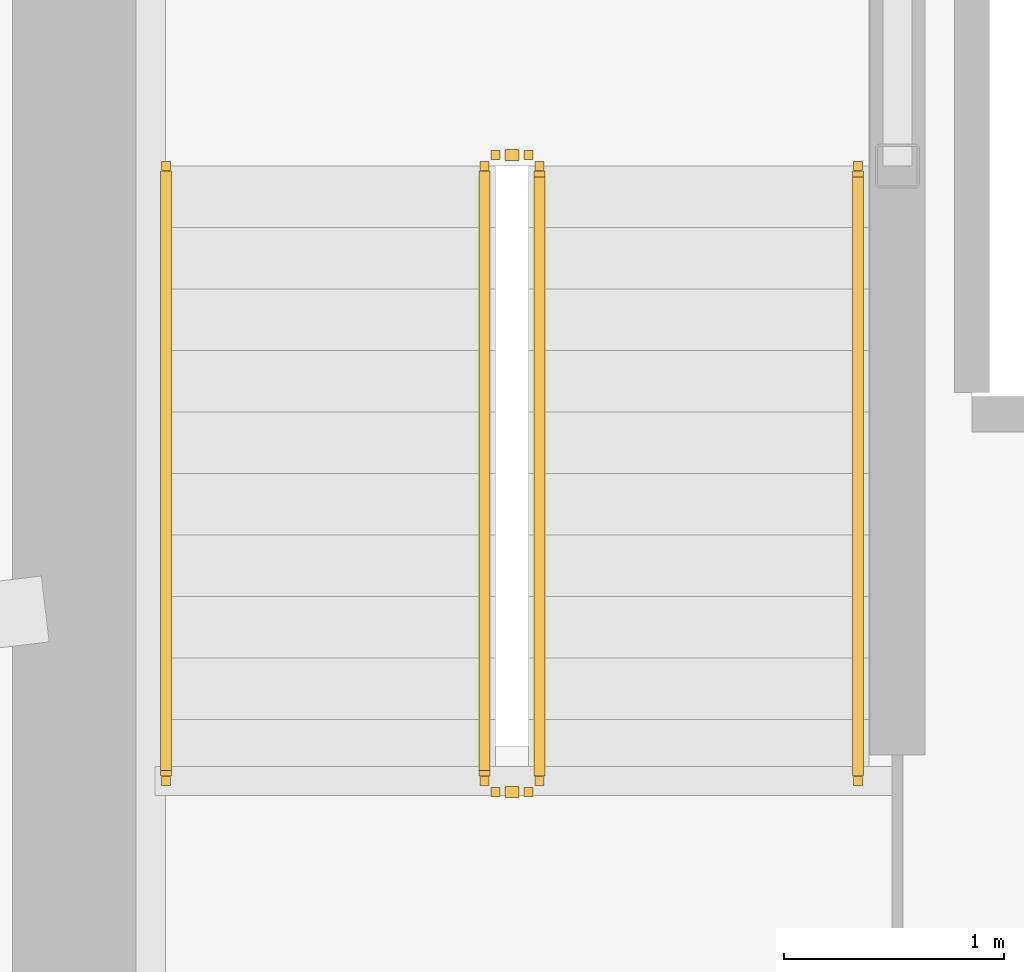
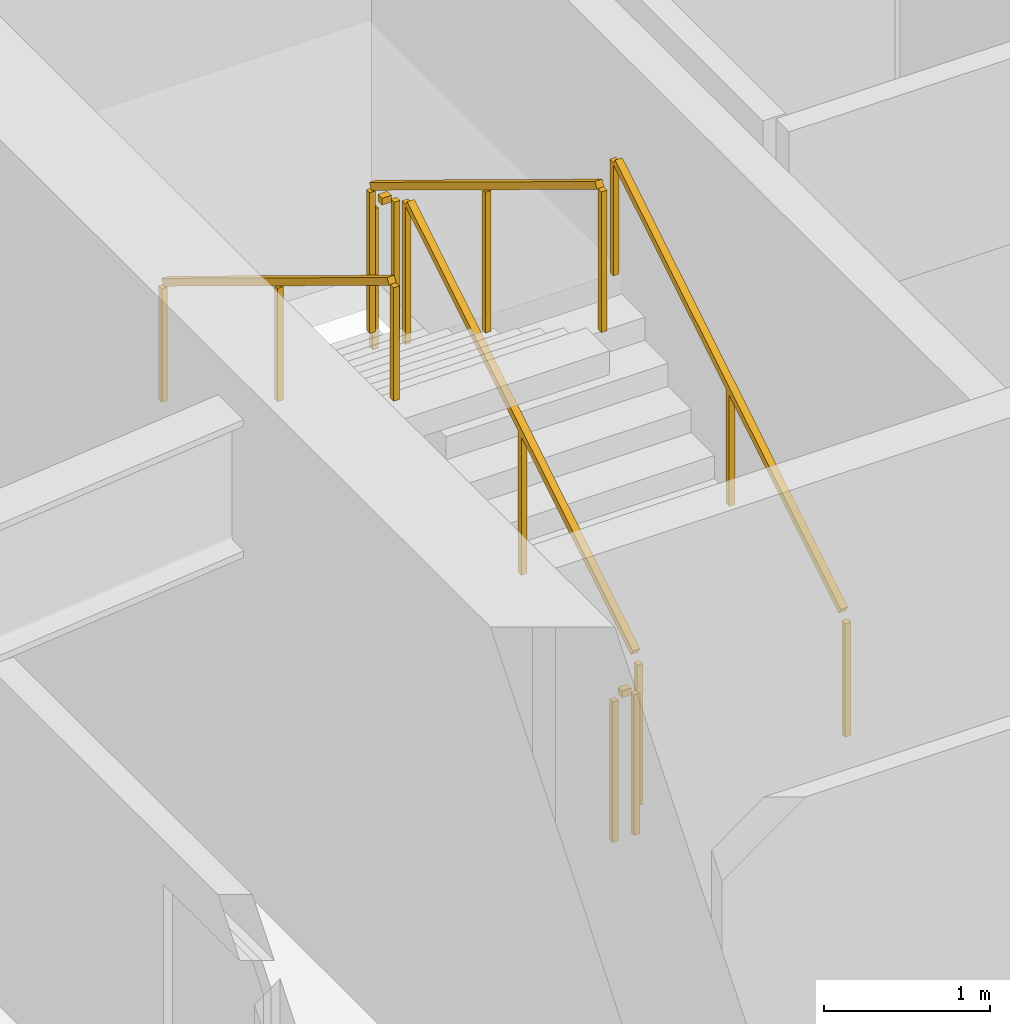
# One storey, part 17 of 20: 6 railings.
"""IFC4 building model written with IfcOpenShell, lengths in metres."""

from ifc_helpers import new_model, si_unit, direction, frame, origin, origin_2d, place, context, subcontext, project, spatial, rectangle, extrude, material, type_object, element, save


model = new_model("IFC4")

# Units and contexts
model_context = context("Model", 3, precision=1e-05, world=origin(), true_north=direction((0.0, 1.0)))
body_context = subcontext(model_context, "Body", "Model", "MODEL_VIEW")
ifc_project = project(units=[si_unit("LENGTHUNIT", "METRE"), si_unit("AREAUNIT", "SQUARE_METRE"), si_unit("VOLUMEUNIT", "CUBIC_METRE"), si_unit("PLANEANGLEUNIT", "RADIAN"), si_unit("MASSUNIT", "GRAM", prefix="KILO")], contexts=[model_context])

# Site, building, storey
site_placement = place(None, origin())
site = spatial("IfcSite", under=ifc_project, at=site_placement, CompositionType="ELEMENT")
building_placement = place(site_placement, origin())
building = spatial("IfcBuilding", under=site, at=building_placement, Name="Kazma Halo Residences", CompositionType="ELEMENT")
storey_placement = place(building_placement, frame((0.0, 0.0, 221.550048828125)))
storey = spatial("IfcBuildingStorey", under=building, at=storey_placement, Name="L56", CompositionType="ELEMENT", Elevation=221.550048828125)

# Railings
ifc_material_1 = material(Name="Painted Steel S355", Category="steel")
railing_type_1 = type_object("IfcRailingType", Name="RLG-STAIR-GRD-1100", PredefinedType="GUARDRAIL", material=ifc_material_1)
railing_1_placement = place(storey_placement, frame((39.550048828125, 39.949951171875, 0.17041015625)))
element("IfcRailing", 1, at=railing_1_placement, inside=storey, type_object=railing_type_1, Name="L56 ST-01 stair guard 1", PredefinedType="GUARDRAIL", context=body_context, shape_type="SweptSolid", body=[
    extrude(rectangle(XDim=0.050048828125, YDim=0.050048828125, at=origin_2d()), frame((0.0, 0.036376953125, 1.09716796875), z_axis=(0.0, 0.854169791009, 0.51999420009), x_axis=(-1.0, 0.0, 0.0)), (0.0, 0.0, 1.0), 3.193115234375),
    extrude(rectangle(XDim=0.0400390625, YDim=0.0400390625, at=origin_2d()), origin(), (0.0, 0.0, 1.0), 1.0380859375),
    extrude(rectangle(XDim=0.0400390625, YDim=0.0400390625, at=origin_2d()), frame((0.0, 1.39990234375, 0.852294921875)), (0.0, 0.0, 1.0), 1.0380859375),
    extrude(rectangle(XDim=0.0400390625, YDim=0.0400390625, at=origin_2d()), frame((0.0, 2.800048828125, 1.70458984375)), (0.0, 0.0, 1.0), 1.0380859375),
])
railing_2_placement = place(storey_placement, frame((39.5, 42.800048828125, 1.875)))
element("IfcRailing", 2, at=railing_2_placement, inside=storey, type_object=railing_type_1, Name="L56 ST-01 stair guard 2", PredefinedType="GUARDRAIL", context=body_context, shape_type="SweptSolid", body=[
    extrude(rectangle(XDim=0.050048828125, YDim=0.050048828125, at=origin_2d()), frame((-0.04248046875, 0.0, 1.0751953125), z_axis=(-1.0, 0.0, 0.0), x_axis=(0.0, -1.0, 0.0)), (0.0, 0.0, 1.0), 0.06494140625),
    extrude(rectangle(XDim=0.0400390625, YDim=0.0400390625, at=origin_2d()), origin(), (0.0, 0.0, 1.0), 1.0380859375),
    extrude(rectangle(XDim=0.0400390625, YDim=0.0400390625, at=origin_2d()), frame((-0.14990234375, 0.0, 0.0)), (0.0, 0.0, 1.0), 1.0380859375),
])
railing_3_placement = place(storey_placement, frame((39.300048828125, 42.75, 2.04541015625)))
element("IfcRailing", 3, at=railing_3_placement, inside=storey, type_object=railing_type_1, Name="L56 ST-01 stair guard 3", PredefinedType="GUARDRAIL", context=body_context, shape_type="SweptSolid", body=[
    extrude(rectangle(XDim=0.050048828125, YDim=0.050048828125, at=origin_2d()), frame((0.0, -0.036376953125, 1.09716796875), z_axis=(0.0, -0.854169791009, 0.51999420009), x_axis=(1.0, 0.0, 0.0)), (0.0, 0.0, 1.0), 3.193115234375),
    extrude(rectangle(XDim=0.0400390625, YDim=0.0400390625, at=origin_2d()), origin(), (0.0, 0.0, 1.0), 1.0380859375),
    extrude(rectangle(XDim=0.0400390625, YDim=0.0400390625, at=origin_2d()), frame((0.0, -1.39990234375, 0.852294921875)), (0.0, 0.0, 1.0), 1.0380859375),
    extrude(rectangle(XDim=0.0400390625, YDim=0.0400390625, at=origin_2d()), frame((0.0, -2.800048828125, 1.70458984375)), (0.0, 0.0, 1.0), 1.0380859375),
])
railing_4_placement = place(storey_placement, frame((39.5, 39.89990234375, 0.0)))
element("IfcRailing", 4, at=railing_4_placement, inside=storey, type_object=railing_type_1, Name="L56 ST-01 stair guard 4", PredefinedType="GUARDRAIL", context=body_context, shape_type="SweptSolid", body=[
    extrude(rectangle(XDim=0.050048828125, YDim=0.050048828125, at=origin_2d()), frame((-0.04248046875, 0.0, 1.0751953125), z_axis=(-1.0, 0.0, 0.0), x_axis=(0.0, -1.0, 0.0)), (0.0, 0.0, 1.0), 0.06494140625),
    extrude(rectangle(XDim=0.0400390625, YDim=0.0400390625, at=origin_2d()), origin(), (0.0, 0.0, 1.0), 1.0380859375),
    extrude(rectangle(XDim=0.0400390625, YDim=0.0400390625, at=origin_2d()), frame((-0.14990234375, 0.0, 0.0)), (0.0, 0.0, 1.0), 1.0380859375),
])
ifc_material_2 = material(Name="Brushed Stainless Steel", Category="steel")
railing_type_2 = type_object("IfcRailingType", Name="RLG-STAIR-HND-900", PredefinedType="HANDRAIL", material=ifc_material_2)
railing_5_placement = place(storey_placement, frame((41.0, 39.949951171875, 0.17041015625)))
element("IfcRailing", 5, at=railing_5_placement, inside=storey, type_object=railing_type_2, Name="L56 ST-01 stair handrail 1", PredefinedType="HANDRAIL", context=body_context, shape_type="SweptSolid", body=[
    extrude(rectangle(XDim=0.050048828125, YDim=0.050048828125, at=origin_2d()), frame((0.0, 0.036376953125, 0.89697265625), z_axis=(0.0, 0.854169791009, 0.51999420009), x_axis=(-1.0, 0.0, 0.0)), (0.0, 0.0, 1.0), 3.193115234375),
    extrude(rectangle(XDim=0.0400390625, YDim=0.0400390625, at=origin_2d()), origin(), (0.0, 0.0, 1.0), 0.837890625),
    extrude(rectangle(XDim=0.0400390625, YDim=0.0400390625, at=origin_2d()), frame((0.0, 1.39990234375, 0.852294921875)), (0.0, 0.0, 1.0), 0.837890625),
    extrude(rectangle(XDim=0.0400390625, YDim=0.0400390625, at=origin_2d()), frame((0.0, 2.800048828125, 1.70458984375)), (0.0, 0.0, 1.0), 0.837890625),
])
railing_6_placement = place(storey_placement, frame((37.85009765625, 42.75, 2.04541015625)))
element("IfcRailing", 6, at=railing_6_placement, inside=storey, type_object=railing_type_2, Name="L56 ST-01 stair handrail 2", PredefinedType="HANDRAIL", context=body_context, shape_type="SweptSolid", body=[
    extrude(rectangle(XDim=0.050048828125, YDim=0.050048828125, at=origin_2d()), frame((0.0, -0.036376953125, 0.89697265625), z_axis=(0.0, -0.854169791009, 0.51999420009), x_axis=(1.0, 0.0, 0.0)), (0.0, 0.0, 1.0), 3.193115234375),
    extrude(rectangle(XDim=0.0400390625, YDim=0.0400390625, at=origin_2d()), origin(), (0.0, 0.0, 1.0), 0.837890625),
    extrude(rectangle(XDim=0.0400390625, YDim=0.0400390625, at=origin_2d()), frame((0.0, -1.39990234375, 0.852294921875)), (0.0, 0.0, 1.0), 0.837890625),
    extrude(rectangle(XDim=0.0400390625, YDim=0.0400390625, at=origin_2d()), frame((0.0, -2.800048828125, 1.70458984375)), (0.0, 0.0, 1.0), 0.837890625),
])

save(model, "model.ifc")
